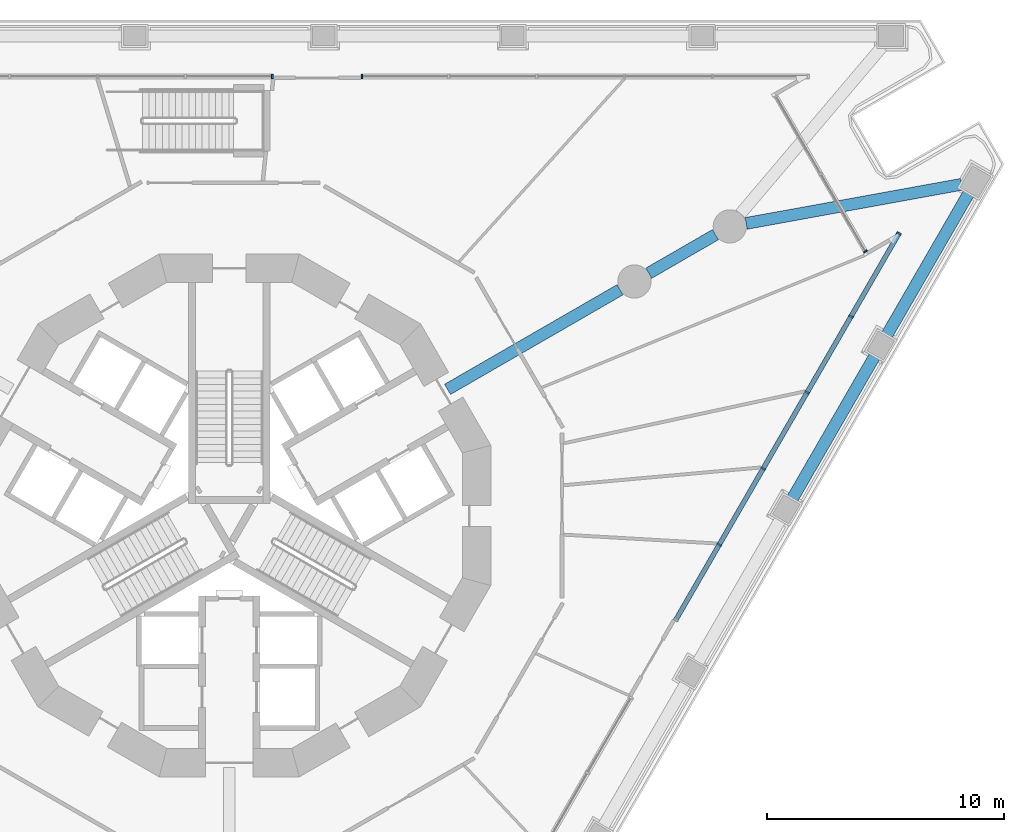
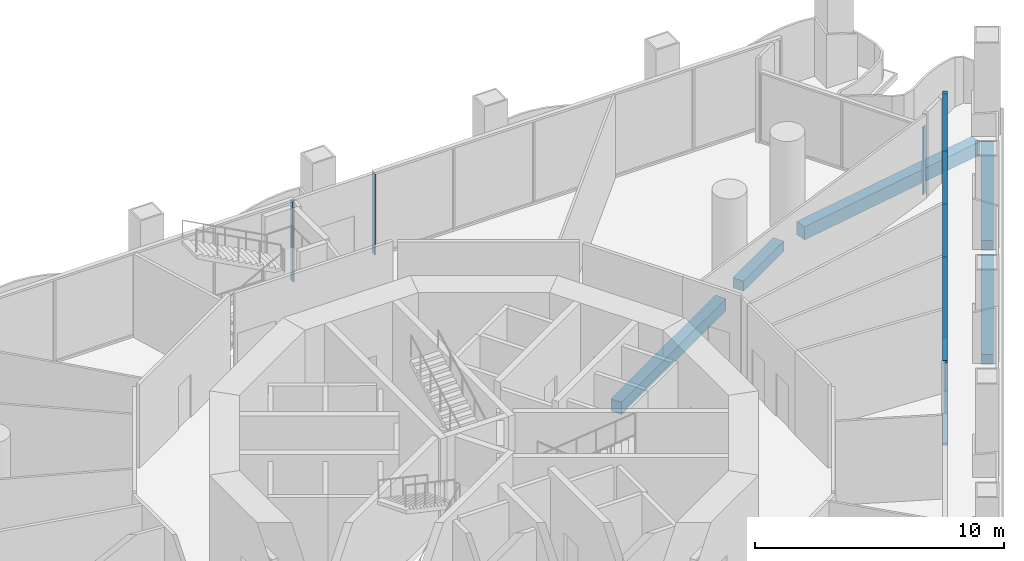
# One storey, part 7 of 21: 10 members, 5 beams, 4 elements without a shape of their own.
"""IFC4 building model written with IfcOpenShell, lengths in metres."""

from ifc_helpers import new_model, si_unit, direction, frame, origin, origin_2d, place, context, subcontext, project, spatial, rectangle, extrude, material, layer, layer_set, material_profile, profile_set, type_object, element, aggregate, save


model = new_model("IFC4")

# Units and contexts
model_context = context("Model", 3, precision=1e-05, world=origin(), true_north=direction((0.0, 1.0)))
body_context = subcontext(model_context, "Body", "Model", "MODEL_VIEW")
ifc_project = project(units=[si_unit("LENGTHUNIT", "METRE"), si_unit("AREAUNIT", "SQUARE_METRE"), si_unit("VOLUMEUNIT", "CUBIC_METRE"), si_unit("PLANEANGLEUNIT", "RADIAN"), si_unit("MASSUNIT", "GRAM", prefix="KILO")], contexts=[model_context])

# Site, building, storey
site_placement = place(None, origin())
site = spatial("IfcSite", under=ifc_project, at=site_placement, CompositionType="ELEMENT")
building_placement = place(site_placement, origin())
building = spatial("IfcBuilding", under=site, at=building_placement, Name="Trine Commons Tower", CompositionType="ELEMENT")
storey_placement = place(building_placement, frame((0.0, 0.0, 13.5)))
storey = spatial("IfcBuildingStorey", under=building, at=storey_placement, Name="L02", CompositionType="ELEMENT", Elevation=13.5)

# Curtain wall, member
ifc_material_1 = material(Name="Corner pocket glazing: anodised aluminium frame with low-emissivity double glazed unit, laminated", Category="aluminium")
ifc_layer_1 = layer(ifc_material_1, 0.179931640625)
ifc_layer_set_1 = layer_set([ifc_layer_1], Name="Corner pocket glazing: anodised aluminium frame with low-emissivity double glazed unit, laminated")
curtain_wall_type_1 = type_object("IfcCurtainWallType", Name="Corner pocket glazing curtain wall CW8", PredefinedType="NOTDEFINED", material=ifc_layer_set_1)
curtain_wall_1_placement = place(storey_placement, origin())
curtain_wall_1 = element("IfcCurtainWall", 1, at=curtain_wall_1_placement, inside=storey, type_object=curtain_wall_type_1, Name="Corner pocket glazing L02 P2.1", PredefinedType="NOTDEFINED")
ifc_material_2 = material(Name="Anodised aluminium, bronze finish", Category="aluminium")
ifc_material_profile_1 = material_profile(ifc_material_2, rectangle(XDim=0.179931640625, YDim=0.06494140625, at=origin_2d()), Name="Mullion 65x180")
ifc_profile_set_1 = profile_set([ifc_material_profile_1], Name="Anodised aluminium, bronze finish")
member_type_1 = type_object("IfcMemberType", Name="Mullion 65x180, Anodised aluminium, bronze finish", PredefinedType="MULLION", material=ifc_profile_set_1)
member_1_placement = place(storey_placement, frame((106.7900390625, 73.616943359375, 0.090087890625), z_axis=(0.0, 0.0, 1.0), x_axis=(0.866025403784, 0.5, 0.0)))
member_1 = element("IfcMember", 2, at=member_1_placement, type_object=member_type_1, Name="CW8 mullion 3.1", PredefinedType="MULLION", context=body_context, shape_type="SweptSolid", body=[
    extrude(rectangle(XDim=0.179931640625, YDim=0.06494140625, at=origin_2d()), origin(), (0.0, 0.0, 1.0), 3.2998046875),
])
aggregate(curtain_wall_1, [member_1])

ifc_material_3 = material(Name="Podium glazing: anodised aluminium frame with low-emissivity double glazed unit", Category="aluminium")
ifc_layer_2 = layer(ifc_material_3, 0.199951171875)
ifc_layer_set_2 = layer_set([ifc_layer_2], Name="Podium glazing: anodised aluminium frame with low-emissivity double glazed unit")
curtain_wall_type_2 = type_object("IfcCurtainWallType", Name="Podium glazing curtain wall CW3", PredefinedType="NOTDEFINED", material=ifc_layer_set_2)
curtain_wall_2_placement = place(storey_placement, origin())
curtain_wall_2 = element("IfcCurtainWall", 3, at=curtain_wall_2_placement, inside=storey, type_object=curtain_wall_type_2, Name="Podium glazing L02 F1.1", PredefinedType="NOTDEFINED")
ifc_material_profile_2 = material_profile(ifc_material_2, rectangle(XDim=0.199951171875, YDim=0.074951171875, at=origin_2d()), Name="Mullion 75x200")
ifc_profile_set_2 = profile_set([ifc_material_profile_2], Name="Anodised aluminium, bronze finish")
member_type_2 = type_object("IfcMemberType", Name="Mullion 75x200, Anodised aluminium, bronze finish", PredefinedType="MULLION", material=ifc_profile_set_2)
member_2_placement = place(storey_placement, frame((81.811767578125, 80.984619140625, 0.10009765625), z_axis=(0.0, 0.0, 1.0), x_axis=(0.0, 1.0, 0.0)))
member_2 = element("IfcMember", 4, at=member_2_placement, type_object=member_type_2, Name="CW3 mullion 8.1", PredefinedType="MULLION", context=body_context, shape_type="SweptSolid", body=[
    extrude(rectangle(XDim=0.199951171875, YDim=0.074951171875, at=origin_2d()), origin(), (0.0, 0.0, 1.0), 3.949951171875),
])
aggregate(curtain_wall_2, [member_2])

curtain_wall_3_placement = place(storey_placement, origin())
curtain_wall_3 = element("IfcCurtainWall", 5, at=curtain_wall_3_placement, inside=storey, type_object=curtain_wall_type_2, Name="Podium glazing L02 F1.2", PredefinedType="NOTDEFINED")
member_3_placement = place(storey_placement, frame((85.585693359375, 80.984619140625, 0.10009765625), z_axis=(0.0, 0.0, 1.0), x_axis=(0.0, 1.0, 0.0)))
member_3 = element("IfcMember", 6, at=member_3_placement, type_object=member_type_2, Name="CW3 mullion 1.1", PredefinedType="MULLION", context=body_context, shape_type="SweptSolid", body=[
    extrude(rectangle(XDim=0.199951171875, YDim=0.074951171875, at=origin_2d()), origin(), (0.0, 0.0, 1.0), 3.949951171875),
])
aggregate(curtain_wall_3, [member_3])

# Curtain wall, members
curtain_wall_4_placement = place(storey_placement, origin())
curtain_wall_4 = element("IfcCurtainWall", 7, at=curtain_wall_4_placement, inside=storey, type_object=curtain_wall_type_2, Name="Podium glazing L02 F2.1", PredefinedType="NOTDEFINED")
member_4_placement = place(storey_placement, frame((108.197509765625, 74.370361328125, 0.10009765625), z_axis=(0.0, 0.0, 1.0), x_axis=(0.866025403784, -0.5, 0.0)))
member_4 = element("IfcMember", 8, at=member_4_placement, type_object=member_type_2, Name="CW3 mullion 1.1", PredefinedType="MULLION", context=body_context, shape_type="SweptSolid", body=[
    extrude(rectangle(XDim=0.199951171875, YDim=0.074951171875, at=origin_2d()), origin(), (0.0, 0.0, 1.0), 3.949951171875),
])
member_5_placement = place(storey_placement, frame((106.18017578125, 70.876220703125, 0.10009765625), z_axis=(0.0, 0.0, 1.0), x_axis=(0.866025403784, -0.5, 0.0)))
member_5 = element("IfcMember", 9, at=member_5_placement, type_object=member_type_2, Name="CW3 mullion 2.1", PredefinedType="MULLION", context=body_context, shape_type="SweptSolid", body=[
    extrude(rectangle(XDim=0.199951171875, YDim=0.074951171875, at=origin_2d()), origin(), (0.0, 0.0, 1.0), 3.949951171875),
])
member_6_placement = place(storey_placement, frame((104.330810546875, 67.6728515625, 0.10009765625), z_axis=(0.0, 0.0, 1.0), x_axis=(0.866025403784, -0.5, 0.0)))
member_6 = element("IfcMember", 10, at=member_6_placement, type_object=member_type_2, Name="CW3 mullion 3.1", PredefinedType="MULLION", context=body_context, shape_type="SweptSolid", body=[
    extrude(rectangle(XDim=0.199951171875, YDim=0.074951171875, at=origin_2d()), origin(), (0.0, 0.0, 1.0), 3.949951171875),
])
member_7_placement = place(storey_placement, frame((102.481201171875, 64.469482421875, 0.10009765625), z_axis=(0.0, 0.0, 1.0), x_axis=(0.866025403784, -0.5, 0.0)))
member_7 = element("IfcMember", 11, at=member_7_placement, type_object=member_type_2, Name="CW3 mullion 4.1", PredefinedType="MULLION", context=body_context, shape_type="SweptSolid", body=[
    extrude(rectangle(XDim=0.199951171875, YDim=0.074951171875, at=origin_2d()), origin(), (0.0, 0.0, 1.0), 3.949951171875),
])
member_8_placement = place(storey_placement, frame((100.6318359375, 61.26611328125, 0.10009765625), z_axis=(0.0, 0.0, 1.0), x_axis=(0.866025403784, -0.5, 0.0)))
member_8 = element("IfcMember", 12, at=member_8_placement, type_object=member_type_2, Name="CW3 mullion 5.1", PredefinedType="MULLION", context=body_context, shape_type="SweptSolid", body=[
    extrude(rectangle(XDim=0.199951171875, YDim=0.074951171875, at=origin_2d()), origin(), (0.0, 0.0, 1.0), 3.949951171875),
])

# Beams
ifc_material_4 = material(Name="Concrete C50/60", Category="concrete")
ifc_material_profile_3 = material_profile(ifc_material_4, rectangle(XDim=0.5, YDim=0.5, at=origin_2d()), Name="RC 500x500")
ifc_profile_set_3 = profile_set([ifc_material_profile_3], Name="Concrete C50/60")
beam_type_1 = type_object("IfcBeamType", Name="RC beam 500x500, C50/60", PredefinedType="BEAM", material=ifc_profile_set_3)
beam_1_placement = place(storey_placement, frame((111.15380859375, 76.0908203125, -0.60009765625), z_axis=(-0.49999660792, -0.866027362194, 0.0), x_axis=(0.866027362194, -0.49999660792, 0.0)))
element("IfcBeam", 13, at=beam_1_placement, inside=storey, type_object=beam_type_1, Name="Beam EB1-15 L02", PredefinedType="BEAM", context=body_context, shape_type="SweptSolid", body=[
    extrude(rectangle(XDim=0.5, YDim=0.5, at=origin_2d()), origin(), (0.0, 0.0, 1.0), 6.96337890625),
])
beam_2_placement = place(storey_placement, frame((107.197021484375, 69.237548828125, -0.60009765625), z_axis=(-0.499991645397, -0.866030227263, 0.0), x_axis=(0.866030227263, -0.499991645397, 0.0)))
element("IfcBeam", 14, at=beam_2_placement, inside=storey, type_object=beam_type_1, Name="Beam EB1-16 L02", PredefinedType="BEAM", context=body_context, shape_type="SweptSolid", body=[
    extrude(rectangle(XDim=0.5, YDim=0.5, at=origin_2d()), origin(), (0.0, 0.0, 1.0), 7.01318359375),
])
beam_3_placement = place(storey_placement, frame((97.663818359375, 72.697998046875, -0.60009765625), z_axis=(0.865996235589, 0.500050517394, 0.0), x_axis=(-0.500050517394, 0.865996235589, 0.0)))
element("IfcBeam", 15, at=beam_3_placement, inside=storey, type_object=beam_type_1, Name="Beam RB1-04 L02", PredefinedType="BEAM", context=body_context, shape_type="SweptSolid", body=[
    extrude(rectangle(XDim=0.5, YDim=0.5, at=origin_2d()), origin(), (0.0, 0.0, 1.0), 3.242431640625),
])
ifc_material_profile_4 = material_profile(ifc_material_4, rectangle(XDim=0.5, YDim=0.60009765625, at=origin_2d()), Name="RC 500x600")
ifc_profile_set_4 = profile_set([ifc_material_profile_4], Name="Concrete C50/60")
beam_type_2 = type_object("IfcBeamType", Name="RC beam 500x600, C50/60", PredefinedType="BEAM", material=ifc_profile_set_4)
beam_4_placement = place(storey_placement, frame((89.18994140625, 67.805908203125, -0.64990234375), z_axis=(0.866038208851, 0.499977820318, 0.0), x_axis=(-0.499977820318, 0.866038208851, 0.0)))
element("IfcBeam", 16, at=beam_4_placement, inside=storey, type_object=beam_type_2, Name="Beam RB1-03 L02", PredefinedType="BEAM", context=body_context, shape_type="SweptSolid", body=[
    extrude(rectangle(XDim=0.5, YDim=0.60009765625, at=origin_2d()), origin(), (0.0, 0.0, 1.0), 8.38623046875),
])
ifc_material_profile_5 = material_profile(ifc_material_4, rectangle(XDim=0.5, YDim=0.64990234375, at=origin_2d()), Name="RC 500x650")
ifc_profile_set_5 = profile_set([ifc_material_profile_5], Name="Concrete C50/60")
beam_type_3 = type_object("IfcBeamType", Name="RC beam 500x650, C50/60", PredefinedType="BEAM", material=ifc_profile_set_5)
beam_5_placement = place(storey_placement, frame((110.8359375, 76.440185546875, -0.675048828125), z_axis=(-0.983921563764, -0.178601109628, 0.0), x_axis=(0.178601109628, -0.983921563764, 0.0)))
element("IfcBeam", 17, at=beam_5_placement, inside=storey, type_object=beam_type_3, Name="Beam CB1-04 L02", PredefinedType="BEAM", context=body_context, shape_type="SweptSolid", body=[
    extrude(rectangle(XDim=0.5, YDim=0.64990234375, at=origin_2d()), origin(), (0.0, 0.0, 1.0), 9.21875),
])

# Member
ifc_material_profile_6 = material_profile(ifc_material_2, rectangle(XDim=0.199951171875, YDim=0.10009765625, at=origin_2d()), Name="Transom 100x200")
ifc_profile_set_6 = profile_set([ifc_material_profile_6], Name="Anodised aluminium, bronze finish")
member_type_3 = type_object("IfcMemberType", Name="Transom 100x200, Anodised aluminium, bronze finish", PredefinedType="USERDEFINED", material=ifc_profile_set_6)
member_9_placement = place(storey_placement, frame((108.21630859375, 74.40283203125, 0.050048828125), z_axis=(-0.500000981961, -0.866024836848, 0.0), x_axis=(0.866024836848, -0.500000981961, 0.0)))
member_9 = element("IfcMember", 18, at=member_9_placement, type_object=member_type_3, Name="CW3 transom T00", ObjectType="TRANSOM", PredefinedType="USERDEFINED", context=body_context, shape_type="SweptSolid", body=[
    extrude(rectangle(XDim=0.199951171875, YDim=0.10009765625, at=origin_2d()), origin(), (0.0, 0.0, 1.0), 18.86767578125),
])

member_10_placement = place(storey_placement, frame((108.21630859375, 74.40283203125, 4.10009765625), z_axis=(-0.500000981961, -0.866024836848, 0.0), x_axis=(0.866024836848, -0.500000981961, 0.0)))
member_10 = element("IfcMember", 19, at=member_10_placement, type_object=member_type_3, Name="CW3 transom TH00", ObjectType="TRANSOM", PredefinedType="USERDEFINED", context=body_context, shape_type="SweptSolid", body=[
    extrude(rectangle(XDim=0.199951171875, YDim=0.10009765625, at=origin_2d()), origin(), (0.0, 0.0, 1.0), 18.86767578125),
])

aggregate(curtain_wall_4, [member_9, member_10, member_4, member_5, member_6, member_7, member_8])

save(model, "model.ifc")
